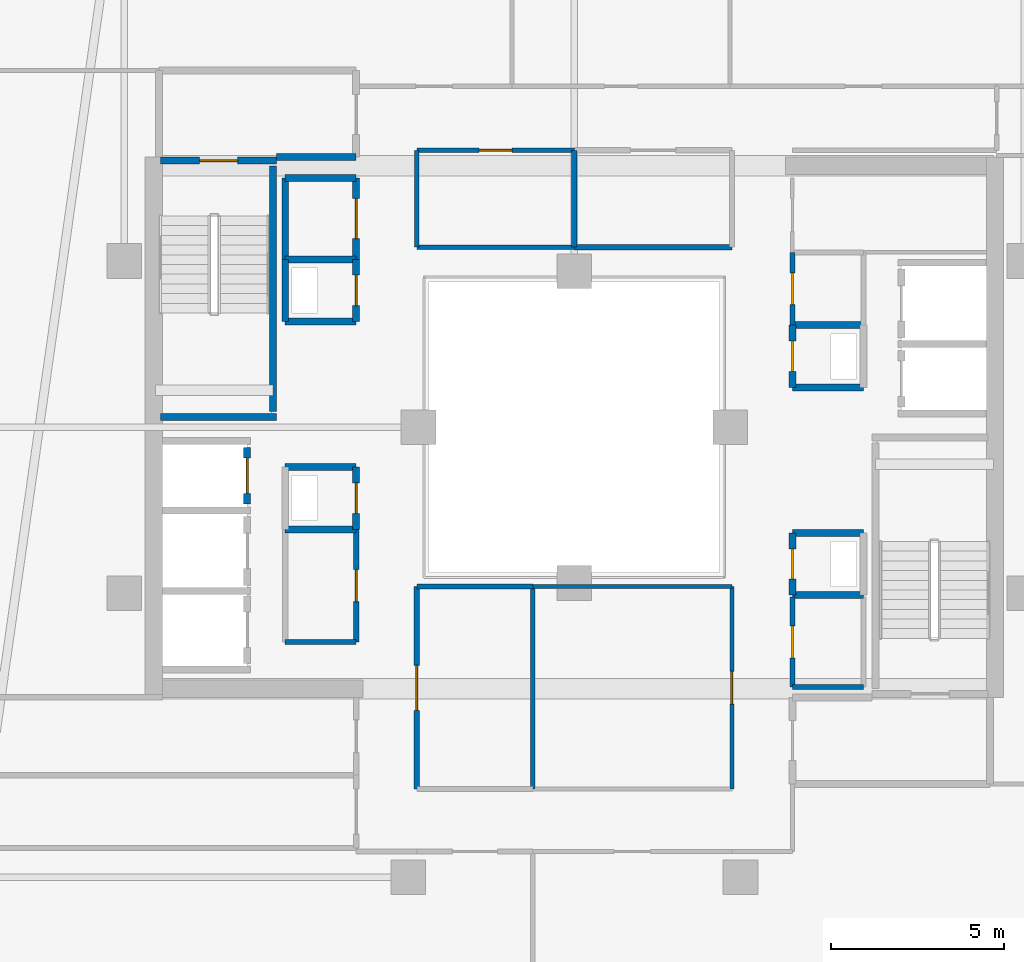
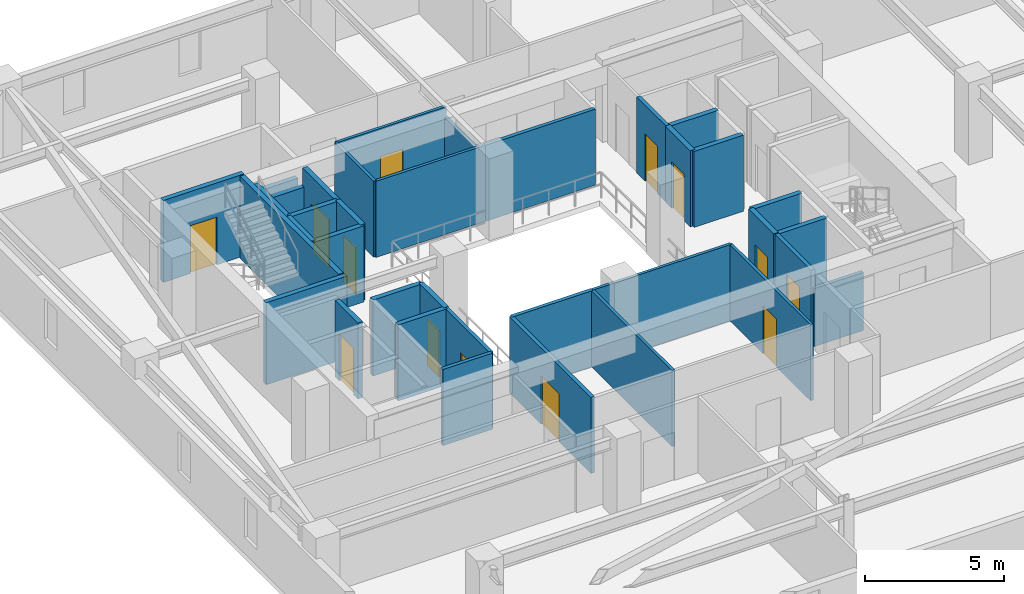
# One storey, part 23 of 32: 36 walls, 13 doors, 13 openings.
"""IFC4 building model written with IfcOpenShell, lengths in metres."""

import ifcopenshell
import ifcopenshell.guid

model = None  # the IFC model being written
_history = None  # IfcOwnerHistory: only IFC2X3 demands one
_inside = {}  # id of a spatial element -> (the spatial element, [elements in it])
_under = {}  # id of a project, library or spatial element -> (it, [spatial elements below it])
_declared = {}  # id of a project -> (the project, [libraries it declares])
_typed = {}  # id of a type object -> (the type object, [elements of that type])
_made_of = {}  # id of a material, layer set ... -> (it, [elements and type objects made of it])


def new_model(schema):
    """Start an empty IFC model of exactly this schema.

    Asked for "IFC4X3", IfcOpenShell would pick the latest addendum, in which some entities
    have other attributes; the version numbers below select the first issue.
    IFC2X3 requires an IfcOwnerHistory on every rooted entity: one is made here for all.
    """
    global model, _history
    if schema == "IFC4X3":
        model = ifcopenshell.file(schema_version=(4, 3, 0, 0))
    else:
        model = ifcopenshell.file(schema=schema)
    _inside.clear()
    _under.clear()
    _declared.clear()
    _typed.clear()
    _made_of.clear()
    _history = None
    if model.schema == "IFC2X3":
        org = make("IfcOrganization", Name="unknown")
        user = make(
            "IfcPersonAndOrganization",
            ThePerson=make("IfcPerson", FamilyName="unknown"),
            TheOrganization=org,
        )
        app = make(
            "IfcApplication",
            ApplicationDeveloper=org,
            Version="unknown",
            ApplicationFullName="unknown",
            ApplicationIdentifier="unknown",
        )
        _history = make(
            "IfcOwnerHistory",
            OwningUser=user,
            OwningApplication=app,
            ChangeAction="ADDED",
            CreationDate=0,
        )
    return model


def make(cls, **values):
    """One entity of the class cls with the attributes given. An attribute that is None is left unset."""
    return model.create_entity(
        cls, **{name: value for name, value in values.items() if value is not None}
    )


def rooted(cls, **values):
    """An entity with a GlobalId (a new one), such as an element, a storey or a relation."""
    return make(cls, GlobalId=ifcopenshell.guid.new(), OwnerHistory=_history, **values)


def si_unit(unit_type, name, prefix=None):
    """IfcSIUnit, for example si_unit("LENGTHUNIT", "METRE", prefix="MILLI")."""
    return make("IfcSIUnit", UnitType=unit_type, Prefix=prefix, Name=name)


def assignment(units):
    """IfcUnitAssignment: the units of a project."""
    return None if units is None else make("IfcUnitAssignment", Units=units)


def point(xyz):
    """IfcCartesianPoint."""
    return None if xyz is None else make("IfcCartesianPoint", Coordinates=xyz)


def direction(xyz):
    """IfcDirection."""
    return None if xyz is None else make("IfcDirection", DirectionRatios=xyz)


def frame(location, z_axis=None, x_axis=None):
    """IfcAxis2Placement3D, a coordinate frame: its origin and axes. An axis left out is left unset."""
    return make(
        "IfcAxis2Placement3D",
        Location=point(location),
        Axis=direction(z_axis),
        RefDirection=direction(x_axis),
    )


def frame_2d(location, x_axis=None):
    """IfcAxis2Placement2D, a coordinate frame in the plane: its origin and x axis."""
    return make(
        "IfcAxis2Placement2D", Location=point(location), RefDirection=direction(x_axis)
    )


def origin():
    """The frame at (0, 0, 0) with its axes left unset."""
    return frame((0.0, 0.0, 0.0))


def place(relative_to, where):
    """IfcLocalPlacement: puts the frame where relative to a parent placement (None: the world)."""
    return make(
        "IfcLocalPlacement", PlacementRelTo=relative_to, RelativePlacement=where
    )


def context(
    kind, dimensions, precision=None, world=None, true_north=None, identifier=None
):
    """IfcGeometricRepresentationContext, for example the 3D "Model" context."""
    return make(
        "IfcGeometricRepresentationContext",
        ContextIdentifier=identifier,
        ContextType=kind,
        CoordinateSpaceDimension=dimensions,
        Precision=precision,
        WorldCoordinateSystem=world,
        TrueNorth=true_north,
    )


def subcontext(parent, identifier, kind, view, scale=None):
    """IfcGeometricRepresentationSubContext, for example "Body" below "Model"."""
    return make(
        "IfcGeometricRepresentationSubContext",
        ContextIdentifier=identifier,
        ContextType=kind,
        ParentContext=parent,
        TargetScale=scale,
        TargetView=view,
    )


def project(units=None, contexts=None):
    """IfcProject with its units and contexts."""
    return rooted(
        "IfcProject",
        Name="project",
        RepresentationContexts=contexts,
        UnitsInContext=assignment(units),
    )


def spatial(cls, under=None, at=None, **own):
    """A site, building, storey or space (cls), placed at a placement, below another one or the project."""
    s = rooted(cls, ObjectPlacement=at, **own)
    if under is not None:
        _under.setdefault(under.id(), (under, []))[1].append(s)
    return s


def profile(cls, at=None, kind="AREA", **sizes):
    """A parametric profile (cls). Its sizes go by their IFC names, for example OverallWidth=200.0."""
    return make(cls, ProfileType=kind, Position=at, **sizes)


def rectangle(**sizes):
    """IfcRectangleProfileDef."""
    return profile("IfcRectangleProfileDef", **sizes)


def extrude(swept, where, along, depth):
    """IfcExtrudedAreaSolid: the profile swept, set in the frame where, extruded along a direction by depth."""
    return make(
        "IfcExtrudedAreaSolid",
        SweptArea=swept,
        Position=where,
        ExtrudedDirection=direction(along),
        Depth=depth,
    )


def shape(context_of_items, identifier, shape_type, items):
    """IfcShapeRepresentation: the items that make up one representation, for example the "Body"."""
    return make(
        "IfcShapeRepresentation",
        ContextOfItems=context_of_items,
        RepresentationIdentifier=identifier,
        RepresentationType=shape_type,
        Items=items,
    )


def material(Name=None, Category=None):
    """IfcMaterial."""
    return make("IfcMaterial", Name=Name, Category=Category)


def layer(
    of_material, thickness, ventilated=None, Name=None, Category=None, Priority=None
):
    """IfcMaterialLayer: one layer of a wall or slab, of a material (None: an air gap)."""
    return make(
        "IfcMaterialLayer",
        Material=of_material,
        LayerThickness=thickness,
        IsVentilated=ventilated,
        Name=Name,
        Category=Category,
        Priority=Priority,
    )


def layer_set(layers, Name=None):
    """IfcMaterialLayerSet."""
    return make("IfcMaterialLayerSet", MaterialLayers=layers, LayerSetName=Name)


def made_of(thing, what):
    """Note that an element or type object is made of a material, layer set ...; save() writes the relation."""
    if what is not None:
        _made_of.setdefault(what.id(), (what, []))[1].append(thing)
    return thing


def type_object(cls, material=None, **own):
    """A type object (cls), such as IfcWallType, which elements share."""
    return made_of(rooted(cls, **own), material)


def element(
    cls,
    number,
    at=None,
    inside=None,
    cuts=None,
    type_object=None,
    material=None,
    context=None,
    identifier="Body",
    shape_type=None,
    held_by="IfcProductDefinitionShape",
    body=None,
    shapes=None,
    **own,
):
    """One element of the class cls, such as IfcWall. Its Tag is "e" and its number.

    at: its placement. inside: the storey or other place that contains it. cuts: it is an
    opening in that element (IfcRelVoidsElement). A single representation is given by context,
    identifier, shape_type and body (its items); several are given by shapes. held_by: the class
    of the entity that holds the representations. save() writes the other relations.
    """
    e = rooted(cls, Tag="e%d" % number, ObjectPlacement=at, **own)
    if body is not None:
        shapes = [shape(context, identifier, shape_type, body)]
    if shapes is not None:
        e.Representation = make(held_by, Representations=shapes)
    if inside is not None:
        _inside.setdefault(inside.id(), (inside, []))[1].append(e)
    if cuts is not None:
        rooted(
            "IfcRelVoidsElement", RelatingBuildingElement=cuts, RelatedOpeningElement=e
        )
    if type_object is not None:
        _typed.setdefault(type_object.id(), (type_object, []))[1].append(e)
    return made_of(e, material)


def fill(opening, filler):
    """IfcRelFillsElement: the door or window that sits in an opening."""
    return rooted(
        "IfcRelFillsElement",
        RelatingOpeningElement=opening,
        RelatedBuildingElement=filler,
    )


def aggregate(whole, parts):
    """IfcRelAggregates: a whole, such as a stair, and the parts it consists of."""
    return rooted("IfcRelAggregates", RelatingObject=whole, RelatedObjects=parts)


def save(model, path):
    """Write the relations noted so far, then the file.

    IfcRelAggregates (storeys below a building ...), IfcRelContainedInSpatialStructure (elements
    in a storey), IfcRelDefinesByType, IfcRelAssociatesMaterial and IfcRelDeclares: one each for
    every whole, place, type object, material and project.
    """
    for whole, parts in _under.values():
        aggregate(whole, parts)
    for where, things in _inside.values():
        rooted(
            "IfcRelContainedInSpatialStructure",
            RelatedElements=things,
            RelatingStructure=where,
        )
    for kind, things in _typed.values():
        rooted("IfcRelDefinesByType", RelatedObjects=things, RelatingType=kind)
    for what, things in _made_of.values():
        rooted("IfcRelAssociatesMaterial", RelatedObjects=things, RelatingMaterial=what)
    for by, libraries in _declared.values():
        rooted("IfcRelDeclares", RelatingContext=by, RelatedDefinitions=libraries)
    model.write(path)


model = new_model("IFC4")

# Units and contexts
model_context = context("Model", 3, precision=1e-05, world=origin(), true_north=direction((0.0, 1.0)))
body_context = subcontext(model_context, "Body", "Model", "MODEL_VIEW")
ifc_project = project(units=[si_unit("LENGTHUNIT", "METRE"), si_unit("AREAUNIT", "SQUARE_METRE"), si_unit("VOLUMEUNIT", "CUBIC_METRE"), si_unit("PLANEANGLEUNIT", "RADIAN"), si_unit("MASSUNIT", "GRAM", prefix="KILO")], contexts=[model_context])

# Site, building, storey
site_placement = place(None, origin())
site = spatial("IfcSite", under=ifc_project, at=site_placement, CompositionType="ELEMENT")
building_placement = place(site_placement, origin())
building = spatial("IfcBuilding", under=site, at=building_placement, Name="Thornwick Lancets Civic Towers", CompositionType="ELEMENT")
storey_placement = place(building_placement, frame((0.0, 0.0, 240.300048828125)))
storey = spatial("IfcBuildingStorey", under=building, at=storey_placement, Name="L64", CompositionType="ELEMENT", Elevation=240.300048828125)

# Wall, opening, door
ifc_material_1 = material(Name="Concrete blockwork C40/50", Category="masonry")
ifc_layer_1 = layer(ifc_material_1, 0.199951171875, Name="Concrete blockwork C40/50")
ifc_layer_set_1 = layer_set([ifc_layer_1], Name="Concrete blockwork C40/50")
wall_type_1 = type_object("IfcWallType", Name="WALL_COMP_200", PredefinedType="STANDARD", material=ifc_layer_set_1)
wall_1_placement = place(storey_placement, frame((79.050048828125, 24.780029296875, 0.0), z_axis=(0.0, 0.0, 1.0), x_axis=(0.0, 1.0, 0.0)))
wall_1 = element("IfcWall", 1, at=wall_1_placement, inside=storey, type_object=wall_type_1, Name="L64 Hoistway Front Wall FL-B2", PredefinedType="STANDARD", context=body_context, shape_type="SweptSolid", body=[
    extrude(rectangle(XDim=1.639892578125, YDim=0.199951171875, at=frame_2d((0.81982421875, 0.0))), origin(), (0.0, 0.0, 1.0), 3.33984375),
])
opening_1_placement = place(wall_1_placement, frame((0.31005859375, 0.0, 0.0)))
opening_1 = element("IfcOpeningElement", 2, at=opening_1_placement, cuts=wall_1, Name="Opening LD-FL-B2", PredefinedType="OPENING", context=body_context, shape_type="SweptSolid", body=[
    extrude(rectangle(XDim=1.02001953125, YDim=2.06005859375, at=frame_2d((0.510009765625, 1.030029296875))), frame((0.0, 0.10986328125, 0.0), z_axis=(0.0, -1.0, 0.0), x_axis=(1.0, 0.0, 0.0)), (0.0, 0.0, 1.0), 0.219970703125),
])
ifc_material_2 = material(Name="Brushed bronze stainless steel", Category="steel")
door_type_1 = type_object("IfcDoorType", Name="DOOR_LIFT_SLIDE", OperationType="SLIDING_TO_LEFT", PredefinedType="DOOR", material=ifc_material_2)
door_1_placement = place(opening_1_placement, origin())
door_1 = element("IfcDoor", 3, at=door_1_placement, inside=storey, type_object=door_type_1, Name="L64 Sliding Lift Landing Door LD-FL-B2", OperationType="SLIDING_TO_LEFT", OverallHeight=2.06005859375, OverallWidth=1.02001953125, PredefinedType="DOOR", context=body_context, shape_type="SweptSolid", body=[
    extrude(rectangle(XDim=1.02001953125, YDim=2.06005859375, at=frame_2d((0.510009765625, 1.030029296875))), frame((0.0, 0.02490234375, 0.0), z_axis=(0.0, -1.0, 0.0), x_axis=(1.0, 0.0, 0.0)), (0.0, 0.0, 1.0), 0.050048828125),
])
fill(opening_1, door_1)

# Walls
wall_2_placement = place(storey_placement, frame((79.89990234375, 34.800048828125, 0.0), z_axis=(0.0, 0.0, 1.0), x_axis=(1.0, 0.0, 0.0)))
element("IfcWall", 4, at=wall_2_placement, inside=storey, type_object=wall_type_1, Name="L64 Partition L64-B-FFLOB2 E1", PredefinedType="STANDARD", context=body_context, shape_type="SweptSolid", body=[
    extrude(rectangle(XDim=2.300048828125, YDim=0.199951171875, at=frame_2d((1.14990234375, 0.0))), origin(), (0.0, 0.0, 1.0), 2.544921875),
])
for number, where, z_axis, x_axis, name in (
    (5, (94.800048828125, 28.14990234375, 0.0), (0.0, 0.0, 1.0), (1.0, 0.0, 0.0), "L64 Partition L64-B-DUCT1 E1"),
    (6, (96.85009765625, 29.949951171875, 0.0), (0.0, 0.0, 1.0), (-1.0, 0.0, 0.0), "L64 Partition L64-B-DUCT1 E3"),
):
    element("IfcWall", number, at=place(storey_placement, frame(where, z_axis=z_axis, x_axis=x_axis)), inside=storey, type_object=wall_type_1, Name=name, PredefinedType="STANDARD", context=body_context, shape_type="SweptSolid", body=[
        extrude(rectangle(XDim=2.050048828125, YDim=0.199951171875, at=frame_2d((1.02490234375, 0.0))), origin(), (0.0, 0.0, 1.0), 3.33984375),
    ])

# Wall, opening, door
wall_3_placement = place(storey_placement, frame((94.800048828125, 29.949951171875, 0.0), z_axis=(0.0, 0.0, 1.0), x_axis=(0.0, -1.0, 0.0)))
wall_3 = element("IfcWall", 7, at=wall_3_placement, inside=storey, type_object=wall_type_1, Name="L64 Partition L64-B-DUCT1 E4", PredefinedType="STANDARD", context=body_context, shape_type="SweptSolid", body=[
    extrude(rectangle(XDim=1.800048828125, YDim=0.199951171875, at=frame_2d((0.89990234375, 0.0))), origin(), (0.0, 0.0, 1.0), 3.33984375),
])
opening_2_placement = place(wall_3_placement, frame((0.4599609375, 0.0, 0.0)))
opening_2 = element("IfcOpeningElement", 8, at=opening_2_placement, cuts=wall_3, Name="Opening D-L64-2886", PredefinedType="OPENING", context=body_context, shape_type="SweptSolid", body=[
    extrude(rectangle(XDim=0.8798828125, YDim=2.0400390625, at=frame_2d((0.43994140625, 1.02001953125))), frame((0.0, 0.10986328125, 0.0), z_axis=(0.0, -1.0, 0.0), x_axis=(1.0, 0.0, 0.0)), (0.0, 0.0, 1.0), 0.219970703125),
])
ifc_material_3 = material(Name="Steel riser access doorset", Category="steel")
door_type_2 = type_object("IfcDoorType", Name="DOOR_RISER_850", OperationType="NOTDEFINED", PredefinedType="DOOR", material=ifc_material_3)
door_2_placement = place(opening_2_placement, origin())
door_2 = element("IfcDoor", 9, at=door_2_placement, inside=storey, type_object=door_type_2, Name="L64 East Service Duct 1 Door", OperationType="SINGLE_SWING_LEFT", OverallHeight=2.0400390625, OverallWidth=0.8798828125, PredefinedType="DOOR", context=body_context, shape_type="SweptSolid", body=[
    extrude(rectangle(XDim=0.8798828125, YDim=2.0400390625, at=frame_2d((0.43994140625, 1.02001953125))), frame((0.0, 0.02490234375, 0.0), z_axis=(0.0, -1.0, 0.0), x_axis=(1.0, 0.0, 0.0)), (0.0, 0.0, 1.0), 0.050048828125),
])
fill(opening_2, door_2)

# Walls
for number, where, z_axis, x_axis, name in (
    (10, (94.800048828125, 22.14990234375, 0.0), (0.0, 0.0, 1.0), (1.0, 0.0, 0.0), "L64 Partition L64-B-RISER1 E1"),
    (11, (96.85009765625, 23.949951171875, 0.0), (0.0, 0.0, 1.0), (-1.0, 0.0, 0.0), "L64 Partition L64-B-RISER1 E3"),
):
    element("IfcWall", number, at=place(storey_placement, frame(where, z_axis=z_axis, x_axis=x_axis)), inside=storey, type_object=wall_type_1, Name=name, PredefinedType="STANDARD", context=body_context, shape_type="SweptSolid", body=[
        extrude(rectangle(XDim=2.050048828125, YDim=0.199951171875, at=frame_2d((1.02490234375, 0.0))), origin(), (0.0, 0.0, 1.0), 3.33984375),
    ])

# Wall, opening, door
wall_4_placement = place(storey_placement, frame((94.800048828125, 23.949951171875, 0.0), z_axis=(0.0, 0.0, 1.0), x_axis=(0.0, -1.0, 0.0)))
wall_4 = element("IfcWall", 12, at=wall_4_placement, inside=storey, type_object=wall_type_1, Name="L64 Partition L64-B-RISER1 E4", PredefinedType="STANDARD", context=body_context, shape_type="SweptSolid", body=[
    extrude(rectangle(XDim=1.800048828125, YDim=0.199951171875, at=frame_2d((0.89990234375, 0.0))), origin(), (0.0, 0.0, 1.0), 3.33984375),
])
opening_3_placement = place(wall_4_placement, frame((0.4599609375, 0.0, 0.0)))
opening_3 = element("IfcOpeningElement", 13, at=opening_3_placement, cuts=wall_4, Name="Opening D-L64-2887", PredefinedType="OPENING", context=body_context, shape_type="SweptSolid", body=[
    extrude(rectangle(XDim=0.8798828125, YDim=2.0400390625, at=frame_2d((0.43994140625, 1.02001953125))), frame((0.0, 0.10986328125, 0.0), z_axis=(0.0, -1.0, 0.0), x_axis=(1.0, 0.0, 0.0)), (0.0, 0.0, 1.0), 0.219970703125),
])
door_3_placement = place(opening_3_placement, origin())
door_3 = element("IfcDoor", 14, at=door_3_placement, inside=storey, type_object=door_type_2, Name="L64 East Electrical Riser 1 Door", OperationType="SINGLE_SWING_RIGHT", OverallHeight=2.0400390625, OverallWidth=0.8798828125, PredefinedType="DOOR", context=body_context, shape_type="SweptSolid", body=[
    extrude(rectangle(XDim=0.8798828125, YDim=2.0400390625, at=frame_2d((0.43994140625, 1.02001953125))), frame((0.0, 0.02490234375, 0.0), z_axis=(0.0, -1.0, 0.0), x_axis=(1.0, 0.0, 0.0)), (0.0, 0.0, 1.0), 0.050048828125),
])
fill(opening_3, door_3)

# Wall
wall_5_placement = place(storey_placement, frame((80.14990234375, 24.050048828125, 0.0), z_axis=(0.0, 0.0, 1.0), x_axis=(1.0, 0.0, 0.0)))
element("IfcWall", 15, at=wall_5_placement, inside=storey, type_object=wall_type_1, Name="L64 Partition L64-B-DUCT2 E1", PredefinedType="STANDARD", context=body_context, shape_type="SweptSolid", body=[
    extrude(rectangle(XDim=2.050048828125, YDim=0.199951171875, at=frame_2d((1.02490234375, 0.0))), origin(), (0.0, 0.0, 1.0), 3.33984375),
])

# Wall, opening, door
wall_6_placement = place(storey_placement, frame((82.199951171875, 24.050048828125, 0.0), z_axis=(0.0, 0.0, 1.0), x_axis=(0.0, 1.0, 0.0)))
wall_6 = element("IfcWall", 16, at=wall_6_placement, inside=storey, type_object=wall_type_1, Name="L64 Partition L64-B-DUCT2 E2", PredefinedType="STANDARD", context=body_context, shape_type="SweptSolid", body=[
    extrude(rectangle(XDim=1.800048828125, YDim=0.199951171875, at=frame_2d((0.89990234375, 0.0))), origin(), (0.0, 0.0, 1.0), 3.33984375),
])
opening_4_placement = place(wall_6_placement, frame((0.4599609375, 0.0, 0.0)))
opening_4 = element("IfcOpeningElement", 17, at=opening_4_placement, cuts=wall_6, Name="Opening D-L64-2888", PredefinedType="OPENING", context=body_context, shape_type="SweptSolid", body=[
    extrude(rectangle(XDim=0.8798828125, YDim=2.0400390625, at=frame_2d((0.43994140625, 1.02001953125))), frame((0.0, 0.10986328125, 0.0), z_axis=(0.0, -1.0, 0.0), x_axis=(1.0, 0.0, 0.0)), (0.0, 0.0, 1.0), 0.219970703125),
])
door_4_placement = place(opening_4_placement, origin())
door_4 = element("IfcDoor", 18, at=door_4_placement, inside=storey, type_object=door_type_2, Name="L64 West Service Duct 2 Door", OperationType="SINGLE_SWING_LEFT", OverallHeight=2.0400390625, OverallWidth=0.8798828125, PredefinedType="DOOR", context=body_context, shape_type="SweptSolid", body=[
    extrude(rectangle(XDim=0.8798828125, YDim=2.0400390625, at=frame_2d((0.43994140625, 1.02001953125))), frame((0.0, 0.02490234375, 0.0), z_axis=(0.0, -1.0, 0.0), x_axis=(1.0, 0.0, 0.0)), (0.0, 0.0, 1.0), 0.050048828125),
])
fill(opening_4, door_4)

# Walls
for number, where, z_axis, x_axis, name in (
    (19, (82.199951171875, 25.85009765625, 0.0), (0.0, 0.0, 1.0), (-1.0, 0.0, 0.0), "L64 Partition L64-B-DUCT2 E3"),
    (20, (80.14990234375, 30.050048828125, 0.0), (0.0, 0.0, 1.0), (1.0, 0.0, 0.0), "L64 Partition L64-B-RISER2 E1"),
):
    element("IfcWall", number, at=place(storey_placement, frame(where, z_axis=z_axis, x_axis=x_axis)), inside=storey, type_object=wall_type_1, Name=name, PredefinedType="STANDARD", context=body_context, shape_type="SweptSolid", body=[
        extrude(rectangle(XDim=2.050048828125, YDim=0.199951171875, at=frame_2d((1.02490234375, 0.0))), origin(), (0.0, 0.0, 1.0), 3.33984375),
    ])

# Wall, opening, door
wall_7_placement = place(storey_placement, frame((82.199951171875, 30.050048828125, 0.0), z_axis=(0.0, 0.0, 1.0), x_axis=(0.0, 1.0, 0.0)))
wall_7 = element("IfcWall", 21, at=wall_7_placement, inside=storey, type_object=wall_type_1, Name="L64 Partition L64-B-RISER2 E2", PredefinedType="STANDARD", context=body_context, shape_type="SweptSolid", body=[
    extrude(rectangle(XDim=1.800048828125, YDim=0.199951171875, at=frame_2d((0.89990234375, 0.0))), origin(), (0.0, 0.0, 1.0), 3.33984375),
])
opening_5_placement = place(wall_7_placement, frame((0.4599609375, 0.0, 0.0)))
opening_5 = element("IfcOpeningElement", 22, at=opening_5_placement, cuts=wall_7, Name="Opening D-L64-2889", PredefinedType="OPENING", context=body_context, shape_type="SweptSolid", body=[
    extrude(rectangle(XDim=0.8798828125, YDim=2.0400390625, at=frame_2d((0.43994140625, 1.02001953125))), frame((0.0, 0.10986328125, 0.0), z_axis=(0.0, -1.0, 0.0), x_axis=(1.0, 0.0, 0.0)), (0.0, 0.0, 1.0), 0.219970703125),
])
door_5_placement = place(opening_5_placement, origin())
door_5 = element("IfcDoor", 23, at=door_5_placement, inside=storey, type_object=door_type_2, Name="L64 West Service Riser 2 Door", OperationType="SINGLE_SWING_RIGHT", OverallHeight=2.0400390625, OverallWidth=0.8798828125, PredefinedType="DOOR", context=body_context, shape_type="SweptSolid", body=[
    extrude(rectangle(XDim=0.8798828125, YDim=2.0400390625, at=frame_2d((0.43994140625, 1.02001953125))), frame((0.0, 0.02490234375, 0.0), z_axis=(0.0, -1.0, 0.0), x_axis=(1.0, 0.0, 0.0)), (0.0, 0.0, 1.0), 0.050048828125),
])
fill(opening_5, door_5)

# Walls
wall_8_placement = place(storey_placement, frame((82.199951171875, 31.85009765625, 0.0), z_axis=(0.0, 0.0, 1.0), x_axis=(-1.0, 0.0, 0.0)))
element("IfcWall", 24, at=wall_8_placement, inside=storey, type_object=wall_type_1, Name="L64 Partition L64-B-RISER2 E3", PredefinedType="STANDARD", context=body_context, shape_type="SweptSolid", body=[
    extrude(rectangle(XDim=2.050048828125, YDim=0.199951171875, at=frame_2d((1.02490234375, 0.0))), origin(), (0.0, 0.0, 1.0), 3.33984375),
])
wall_9_placement = place(storey_placement, frame((80.14990234375, 31.85009765625, 0.0), z_axis=(0.0, 0.0, 1.0), x_axis=(0.0, -1.0, 0.0)))
element("IfcWall", 25, at=wall_9_placement, inside=storey, type_object=wall_type_1, Name="L64 Partition L64-B-RISER2 E4", PredefinedType="STANDARD", context=body_context, shape_type="SweptSolid", body=[
    extrude(rectangle(XDim=1.800048828125, YDim=0.199951171875, at=frame_2d((0.89990234375, 0.0))), origin(), (0.0, 0.0, 1.0), 3.33984375),
])
wall_10_placement = place(storey_placement, frame((80.14990234375, 31.85009765625, 0.0), z_axis=(0.0, 0.0, 1.0), x_axis=(0.0, 1.0, 0.0)))
element("IfcWall", 26, at=wall_10_placement, inside=storey, type_object=wall_type_1, Name="L64 Partition L64-B-STR E1", PredefinedType="STANDARD", context=body_context, shape_type="SweptSolid", body=[
    extrude(rectangle(XDim=2.349853515625, YDim=0.199951171875, at=frame_2d((1.1748046875, 0.0))), origin(), (0.0, 0.0, 1.0), 3.33984375),
])
wall_11_placement = place(storey_placement, frame((80.14990234375, 34.199951171875, 0.0), z_axis=(0.0, 0.0, 1.0), x_axis=(1.0, 0.0, 0.0)))
element("IfcWall", 27, at=wall_11_placement, inside=storey, type_object=wall_type_1, Name="L64 Partition L64-B-STR E2", PredefinedType="STANDARD", context=body_context, shape_type="SweptSolid", body=[
    extrude(rectangle(XDim=2.050048828125, YDim=0.199951171875, at=frame_2d((1.02490234375, 0.0))), origin(), (0.0, 0.0, 1.0), 2.544921875),
])

# Wall, opening, door
wall_12_placement = place(storey_placement, frame((82.199951171875, 34.199951171875, 0.0), z_axis=(0.0, 0.0, 1.0), x_axis=(0.0, -1.0, 0.0)))
wall_12 = element("IfcWall", 28, at=wall_12_placement, inside=storey, type_object=wall_type_1, Name="L64 Partition L64-B-STR E3", PredefinedType="STANDARD", context=body_context, shape_type="SweptSolid", body=[
    extrude(rectangle(XDim=2.349853515625, YDim=0.199951171875, at=frame_2d((1.1748046875, 0.0))), origin(), (0.0, 0.0, 1.0), 3.33984375),
])
opening_6_placement = place(wall_12_placement, frame((0.60009765625, 0.0, 0.0)))
opening_6 = element("IfcOpeningElement", 29, at=opening_6_placement, cuts=wall_12, Name="Opening D-L64-2894", PredefinedType="OPENING", context=body_context, shape_type="SweptSolid", body=[
    extrude(rectangle(XDim=1.14990234375, YDim=2.10009765625, at=frame_2d((0.574951171875, 1.050048828125))), frame((0.0, 0.10986328125, 0.0), z_axis=(0.0, -1.0, 0.0), x_axis=(1.0, 0.0, 0.0)), (0.0, 0.0, 1.0), 0.219970703125),
])
ifc_material_4 = material(Name="Glazed fire-resisting steel", Category="steel")
door_type_3 = type_object("IfcDoorType", Name="DOOR_LOBBY_FD60", OperationType="NOTDEFINED", PredefinedType="DOOR", material=ifc_material_4)
door_6_placement = place(opening_6_placement, origin())
door_6 = element("IfcDoor", 30, at=door_6_placement, inside=storey, type_object=door_type_3, Name="L64 Tower B Core Equipment Store Door", OperationType="SINGLE_SWING_LEFT", OverallHeight=2.10009765625, OverallWidth=1.14990234375, PredefinedType="DOOR", context=body_context, shape_type="SweptSolid", body=[
    extrude(rectangle(XDim=1.14990234375, YDim=2.10009765625, at=frame_2d((0.574951171875, 1.050048828125))), frame((0.0, 0.02490234375, 0.0), z_axis=(0.0, -1.0, 0.0), x_axis=(1.0, 0.0, 0.0)), (0.0, 0.0, 1.0), 0.050048828125),
])
fill(opening_6, door_6)

# Walls
ifc_material_5 = material(Name="Acoustic gypsum board partition")
ifc_layer_2 = layer(ifc_material_5, 0.1201171875, Name="Acoustic gypsum board partition")
ifc_layer_set_2 = layer_set([ifc_layer_2], Name="Acoustic gypsum board partition")
wall_type_2 = type_object("IfcWallType", Name="WALL_PART_120", PredefinedType="PARTITIONING", material=ifc_layer_set_2)
wall_13_placement = place(storey_placement, frame((87.300048828125, 16.550048828125, 0.0), z_axis=(0.0, 0.0, 1.0), x_axis=(0.0, 1.0, 0.0)))
element("IfcWall", 31, at=wall_13_placement, inside=storey, type_object=wall_type_2, Name="L64 Partition L64-B-W3 E1", PredefinedType="PARTITIONING", context=body_context, shape_type="SweptSolid", body=[
    extrude(rectangle(XDim=5.849853515625, YDim=0.1201171875, at=frame_2d((2.9248046875, 0.0))), origin(), (0.0, 0.0, 1.0), 3.33984375),
])
wall_14_placement = place(storey_placement, frame((87.300048828125, 22.39990234375, 0.0), z_axis=(0.0, 0.0, 1.0), x_axis=(1.0, 0.0, 0.0)))
element("IfcWall", 32, at=wall_14_placement, inside=storey, type_object=wall_type_2, Name="L64 Partition L64-B-W3 E2", PredefinedType="PARTITIONING", context=body_context, shape_type="SweptSolid", body=[
    extrude(rectangle(XDim=5.75, YDim=0.1201171875, at=frame_2d((2.875, 0.0))), origin(), (0.0, 0.0, 1.0), 3.33984375),
])

# Wall, opening, door
wall_15_placement = place(storey_placement, frame((93.050048828125, 22.39990234375, 0.0), z_axis=(0.0, 0.0, 1.0), x_axis=(0.0, -1.0, 0.0)))
wall_15 = element("IfcWall", 33, at=wall_15_placement, inside=storey, type_object=wall_type_2, Name="L64 Partition L64-B-W3 E3", PredefinedType="PARTITIONING", context=body_context, shape_type="SweptSolid", body=[
    extrude(rectangle(XDim=5.849853515625, YDim=0.1201171875, at=frame_2d((2.9248046875, 0.0))), origin(), (0.0, 0.0, 1.0), 3.33984375),
])
opening_7_placement = place(wall_15_placement, frame((2.449951171875, 0.0, 0.0)))
opening_7 = element("IfcOpeningElement", 34, at=opening_7_placement, cuts=wall_15, Name="Opening D-L64-2912", PredefinedType="OPENING", context=body_context, shape_type="SweptSolid", body=[
    extrude(rectangle(XDim=0.949951171875, YDim=2.10009765625, at=frame_2d((0.47509765625, 1.050048828125))), frame((0.0, 0.070068359375, 0.0), z_axis=(0.0, -1.0, 0.0), x_axis=(1.0, 0.0, 0.0)), (0.0, 0.0, 1.0), 0.14013671875),
])
ifc_material_6 = material(Name="European oak acoustic doorset")
door_type_4 = type_object("IfcDoorType", Name="DOOR_OFFICE_950", OperationType="NOTDEFINED", PredefinedType="DOOR", material=ifc_material_6)
door_7_placement = place(opening_7_placement, origin())
door_7 = element("IfcDoor", 35, at=door_7_placement, inside=storey, type_object=door_type_4, Name="L64 Tower B Staff Tea Pantry and Lounge Door", OperationType="SINGLE_SWING_LEFT", OverallHeight=2.10009765625, OverallWidth=0.949951171875, PredefinedType="DOOR", context=body_context, shape_type="SweptSolid", body=[
    extrude(rectangle(XDim=0.949951171875, YDim=2.10009765625, at=frame_2d((0.47509765625, 1.050048828125))), frame((0.0, 0.02490234375, 0.0), z_axis=(0.0, -1.0, 0.0), x_axis=(1.0, 0.0, 0.0)), (0.0, 0.0, 1.0), 0.050048828125),
])
fill(opening_7, door_7)

# Wall
wall_16_placement = place(storey_placement, frame((83.949951171875, 32.199951171875, 0.0), z_axis=(0.0, 0.0, 1.0), x_axis=(0.0, 1.0, 0.0)))
element("IfcWall", 36, at=wall_16_placement, inside=storey, type_object=wall_type_2, Name="L64 Partition L64-B-E-ATR-2 E1", PredefinedType="PARTITIONING", context=body_context, shape_type="SweptSolid", body=[
    extrude(rectangle(XDim=2.800048828125, YDim=0.1201171875, at=frame_2d((1.39990234375, 0.0))), origin(), (0.0, 0.0, 1.0), 3.33984375),
])

# Wall, opening, door
wall_17_placement = place(storey_placement, frame((83.949951171875, 35.0, 0.0), z_axis=(0.0, 0.0, 1.0), x_axis=(1.0, 0.0, 0.0)))
wall_17 = element("IfcWall", 37, at=wall_17_placement, inside=storey, type_object=wall_type_2, Name="L64 Partition L64-B-E-ATR-2 E2", PredefinedType="PARTITIONING", context=body_context, shape_type="SweptSolid", body=[
    extrude(rectangle(XDim=4.550048828125, YDim=0.1201171875, at=frame_2d((2.27490234375, 0.0))), origin(), (0.0, 0.0, 1.0), 3.33984375),
])
opening_8_placement = place(wall_17_placement, frame((1.800048828125, 0.0, 0.0)))
opening_8 = element("IfcOpeningElement", 38, at=opening_8_placement, cuts=wall_17, Name="Opening D-L64-2918", PredefinedType="OPENING", context=body_context, shape_type="SweptSolid", body=[
    extrude(rectangle(XDim=0.949951171875, YDim=2.10009765625, at=frame_2d((0.47509765625, 1.050048828125))), frame((0.0, 0.070068359375, 0.0), z_axis=(0.0, -1.0, 0.0), x_axis=(1.0, 0.0, 0.0)), (0.0, 0.0, 1.0), 0.14013671875),
])
door_8_placement = place(opening_8_placement, origin())
door_8 = element("IfcDoor", 39, at=door_8_placement, inside=storey, type_object=door_type_4, Name="L64 Tower B Atrium Research Suite Door", OperationType="SINGLE_SWING_LEFT", OverallHeight=2.10009765625, OverallWidth=0.949951171875, PredefinedType="DOOR", context=body_context, shape_type="SweptSolid", body=[
    extrude(rectangle(XDim=0.949951171875, YDim=2.10009765625, at=frame_2d((0.47509765625, 1.050048828125))), frame((0.0, 0.02490234375, 0.0), z_axis=(0.0, -1.0, 0.0), x_axis=(1.0, 0.0, 0.0)), (0.0, 0.0, 1.0), 0.050048828125),
])
fill(opening_8, door_8)

# Walls
wall_18_placement = place(storey_placement, frame((88.5, 32.199951171875, 0.0), z_axis=(0.0, 0.0, 1.0), x_axis=(-1.0, 0.0, 0.0)))
element("IfcWall", 40, at=wall_18_placement, inside=storey, type_object=wall_type_2, Name="L64 Partition L64-B-E-ATR-2 E4", PredefinedType="PARTITIONING", context=body_context, shape_type="SweptSolid", body=[
    extrude(rectangle(XDim=4.550048828125, YDim=0.1201171875, at=frame_2d((2.27490234375, 0.0))), origin(), (0.0, 0.0, 1.0), 3.33984375),
])
ifc_material_7 = material(Name="Twin-stud acoustic gypsum board")
ifc_layer_3 = layer(ifc_material_7, 0.14990234375, Name="Twin-stud acoustic gypsum board")
ifc_layer_set_3 = layer_set([ifc_layer_3], Name="Twin-stud acoustic gypsum board")
wall_type_3 = type_object("IfcWallType", Name="WALL_PART_150", PredefinedType="PARTITIONING", material=ifc_layer_set_3)
wall_19_placement = place(storey_placement, frame((94.800048828125, 19.5, 0.0), z_axis=(0.0, 0.0, 1.0), x_axis=(1.0, 0.0, 0.0)))
element("IfcWall", 41, at=wall_19_placement, inside=storey, type_object=wall_type_3, Name="L64 Partition L64-B-AWC E1", PredefinedType="PARTITIONING", context=body_context, shape_type="SweptSolid", body=[
    extrude(rectangle(XDim=2.050048828125, YDim=0.14990234375, at=frame_2d((1.02490234375, 0.0))), origin(), (0.0, 0.0, 1.0), 2.544921875),
])

# Wall, opening, door
wall_20_placement = place(storey_placement, frame((94.800048828125, 22.10009765625, 0.0), z_axis=(0.0, 0.0, 1.0), x_axis=(0.0, -1.0, 0.0)))
wall_20 = element("IfcWall", 42, at=wall_20_placement, inside=storey, type_object=wall_type_3, Name="L64 Partition L64-B-AWC E4", PredefinedType="PARTITIONING", context=body_context, shape_type="SweptSolid", body=[
    extrude(rectangle(XDim=2.60009765625, YDim=0.14990234375, at=frame_2d((1.300048828125, 0.0))), origin(), (0.0, 0.0, 1.0), 3.33984375),
])
opening_9_placement = place(wall_20_placement, frame((0.840087890625, 0.0, 0.0)))
opening_9 = element("IfcOpeningElement", 43, at=opening_9_placement, cuts=wall_20, Name="Opening D-L64-2890", PredefinedType="OPENING", context=body_context, shape_type="SweptSolid", body=[
    extrude(rectangle(XDim=0.919921875, YDim=2.080078125, at=frame_2d((0.4599609375, 1.0400390625))), frame((0.0, 0.0849609375, 0.0), z_axis=(0.0, -1.0, 0.0), x_axis=(1.0, 0.0, 0.0)), (0.0, 0.0, 1.0), 0.169921875),
])
ifc_material_8 = material(Name="Moisture-resistant oak doorset")
door_type_5 = type_object("IfcDoorType", Name="DOOR_WC_900", OperationType="NOTDEFINED", PredefinedType="DOOR", material=ifc_material_8)
door_9_placement = place(opening_9_placement, origin())
door_9 = element("IfcDoor", 44, at=door_9_placement, inside=storey, type_object=door_type_5, Name="L64 Tower B Accessible WC Door", OperationType="SINGLE_SWING_LEFT", OverallHeight=2.080078125, OverallWidth=0.919921875, PredefinedType="DOOR", context=body_context, shape_type="SweptSolid", body=[
    extrude(rectangle(XDim=0.919921875, YDim=2.080078125, at=frame_2d((0.4599609375, 1.0400390625))), frame((0.0, 0.02490234375, 0.0), z_axis=(0.0, -1.0, 0.0), x_axis=(1.0, 0.0, 0.0)), (0.0, 0.0, 1.0), 0.050048828125),
])
fill(opening_9, door_9)

wall_21_placement = place(storey_placement, frame((94.800048828125, 29.949951171875, 0.0), z_axis=(0.0, 0.0, 1.0), x_axis=(0.0, 1.0, 0.0)))
wall_21 = element("IfcWall", 45, at=wall_21_placement, inside=storey, type_object=wall_type_3, Name="L64 Partition L64-B-MWC E1", PredefinedType="PARTITIONING", context=body_context, shape_type="SweptSolid", body=[
    extrude(rectangle(XDim=2.10009765625, YDim=0.14990234375, at=frame_2d((1.050048828125, 0.0))), origin(), (0.0, 0.0, 1.0), 3.33984375),
])
opening_10_placement = place(wall_21_placement, frame((0.590087890625, 0.0, 0.0)))
opening_10 = element("IfcOpeningElement", 46, at=opening_10_placement, cuts=wall_21, Name="Opening D-L64-2891", PredefinedType="OPENING", context=body_context, shape_type="SweptSolid", body=[
    extrude(rectangle(XDim=0.919921875, YDim=2.080078125, at=frame_2d((0.4599609375, 1.0400390625))), frame((0.0, 0.0849609375, 0.0), z_axis=(0.0, -1.0, 0.0), x_axis=(1.0, 0.0, 0.0)), (0.0, 0.0, 1.0), 0.169921875),
])
door_10_placement = place(opening_10_placement, origin())
door_10 = element("IfcDoor", 47, at=door_10_placement, inside=storey, type_object=door_type_5, Name="L64 Tower B Male WC Door", OperationType="SINGLE_SWING_RIGHT", OverallHeight=2.080078125, OverallWidth=0.919921875, PredefinedType="DOOR", context=body_context, shape_type="SweptSolid", body=[
    extrude(rectangle(XDim=0.919921875, YDim=2.080078125, at=frame_2d((0.4599609375, 1.0400390625))), frame((0.0, 0.02490234375, 0.0), z_axis=(0.0, -1.0, 0.0), x_axis=(1.0, 0.0, 0.0)), (0.0, 0.0, 1.0), 0.050048828125),
])
fill(opening_10, door_10)

# Wall
wall_22_placement = place(storey_placement, frame((82.199951171875, 20.800048828125, 0.0), z_axis=(0.0, 0.0, 1.0), x_axis=(-1.0, 0.0, 0.0)))
element("IfcWall", 48, at=wall_22_placement, inside=storey, type_object=wall_type_3, Name="L64 Partition L64-B-FWC E1", PredefinedType="PARTITIONING", context=body_context, shape_type="SweptSolid", body=[
    extrude(rectangle(XDim=2.050048828125, YDim=0.14990234375, at=frame_2d((1.02490234375, 0.0))), origin(), (0.0, 0.0, 1.0), 3.33984375),
])

# Wall, opening, door
wall_23_placement = place(storey_placement, frame((82.199951171875, 24.050048828125, 0.0), z_axis=(0.0, 0.0, 1.0), x_axis=(0.0, -1.0, 0.0)))
wall_23 = element("IfcWall", 49, at=wall_23_placement, inside=storey, type_object=wall_type_3, Name="L64 Partition L64-B-FWC E4", PredefinedType="PARTITIONING", context=body_context, shape_type="SweptSolid", body=[
    extrude(rectangle(XDim=3.25, YDim=0.14990234375, at=frame_2d((1.625, 0.0))), origin(), (0.0, 0.0, 1.0), 3.33984375),
])
opening_11_placement = place(wall_23_placement, frame((1.1650390625, 0.0, 0.0)))
opening_11 = element("IfcOpeningElement", 50, at=opening_11_placement, cuts=wall_23, Name="Opening D-L64-2893", PredefinedType="OPENING", context=body_context, shape_type="SweptSolid", body=[
    extrude(rectangle(XDim=0.919921875, YDim=2.080078125, at=frame_2d((0.4599609375, 1.0400390625))), frame((0.0, 0.0849609375, 0.0), z_axis=(0.0, -1.0, 0.0), x_axis=(1.0, 0.0, 0.0)), (0.0, 0.0, 1.0), 0.169921875),
])
door_11_placement = place(opening_11_placement, origin())
door_11 = element("IfcDoor", 51, at=door_11_placement, inside=storey, type_object=door_type_5, Name="L64 Tower B Female WC Door", OperationType="SINGLE_SWING_RIGHT", OverallHeight=2.080078125, OverallWidth=0.919921875, PredefinedType="DOOR", context=body_context, shape_type="SweptSolid", body=[
    extrude(rectangle(XDim=0.919921875, YDim=2.080078125, at=frame_2d((0.4599609375, 1.0400390625))), frame((0.0, 0.02490234375, 0.0), z_axis=(0.0, -1.0, 0.0), x_axis=(1.0, 0.0, 0.0)), (0.0, 0.0, 1.0), 0.050048828125),
])
fill(opening_11, door_11)

wall_24_placement = place(storey_placement, frame((83.949951171875, 16.550048828125, 0.0), z_axis=(0.0, 0.0, 1.0), x_axis=(0.0, 1.0, 0.0)))
wall_24 = element("IfcWall", 52, at=wall_24_placement, inside=storey, type_object=wall_type_3, Name="L64 Partition L64-B-W4 E1", PredefinedType="PARTITIONING", context=body_context, shape_type="SweptSolid", body=[
    extrude(rectangle(XDim=5.849853515625, YDim=0.14990234375, at=frame_2d((2.9248046875, 0.0))), origin(), (0.0, 0.0, 1.0), 3.33984375),
])
opening_12_placement = place(wall_24_placement, frame((2.27490234375, 0.0, 0.0)))
opening_12 = element("IfcOpeningElement", 53, at=opening_12_placement, cuts=wall_24, Name="Opening D-L64-2913", PredefinedType="OPENING", context=body_context, shape_type="SweptSolid", body=[
    extrude(rectangle(XDim=1.300048828125, YDim=2.1201171875, at=frame_2d((0.64990234375, 1.06005859375))), frame((0.0, 0.0849609375, 0.0), z_axis=(0.0, -1.0, 0.0), x_axis=(1.0, 0.0, 0.0)), (0.0, 0.0, 1.0), 0.169921875),
])
ifc_material_9 = material(Name="Acoustic oak leaf-and-a-half doorset")
door_type_6 = type_object("IfcDoorType", Name="DOOR_MEET_1300", OperationType="DOUBLE_DOOR_SINGLE_SWING", PredefinedType="DOOR", material=ifc_material_9)
door_12_placement = place(opening_12_placement, origin())
door_12 = element("IfcDoor", 54, at=door_12_placement, inside=storey, type_object=door_type_6, Name="L64 Tower B West Briefing Room W4 Door", OperationType="DOUBLE_DOOR_SINGLE_SWING", OverallHeight=2.1201171875, OverallWidth=1.300048828125, PredefinedType="DOOR", context=body_context, shape_type="SweptSolid", body=[
    extrude(rectangle(XDim=1.300048828125, YDim=2.1201171875, at=frame_2d((0.64990234375, 1.06005859375))), frame((0.0, 0.02490234375, 0.0), z_axis=(0.0, -1.0, 0.0), x_axis=(1.0, 0.0, 0.0)), (0.0, 0.0, 1.0), 0.050048828125),
])
fill(opening_12, door_12)

# Walls
wall_25_placement = place(storey_placement, frame((83.949951171875, 22.39990234375, 0.0), z_axis=(0.0, 0.0, 1.0), x_axis=(1.0, 0.0, 0.0)))
element("IfcWall", 55, at=wall_25_placement, inside=storey, type_object=wall_type_3, Name="L64 Partition L64-B-W4 E2", PredefinedType="PARTITIONING", context=body_context, shape_type="SweptSolid", body=[
    extrude(rectangle(XDim=3.35009765625, YDim=0.14990234375, at=frame_2d((1.675048828125, 0.0))), origin(), (0.0, 0.0, 1.0), 3.33984375),
])
wall_26_placement = place(storey_placement, frame((88.5, 32.199951171875, 0.0), z_axis=(0.0, 0.0, 1.0), x_axis=(0.0, 1.0, 0.0)))
element("IfcWall", 56, at=wall_26_placement, inside=storey, type_object=wall_type_3, Name="L64 Partition L64-B-E-ATR-1 E1", PredefinedType="PARTITIONING", context=body_context, shape_type="SweptSolid", body=[
    extrude(rectangle(XDim=2.800048828125, YDim=0.14990234375, at=frame_2d((1.39990234375, 0.0))), origin(), (0.0, 0.0, 1.0), 2.877685546875),
])
wall_27_placement = place(storey_placement, frame((93.050048828125, 32.199951171875, 0.0), z_axis=(0.0, 0.0, 1.0), x_axis=(-1.0, 0.0, 0.0)))
element("IfcWall", 57, at=wall_27_placement, inside=storey, type_object=wall_type_3, Name="L64 Partition L64-B-E-ATR-1 E4", PredefinedType="PARTITIONING", context=body_context, shape_type="SweptSolid", body=[
    extrude(rectangle(XDim=4.550048828125, YDim=0.14990234375, at=frame_2d((2.27490234375, 0.0))), origin(), (0.0, 0.0, 1.0), 3.33984375),
])

# Wall, opening, door
ifc_material_10 = material(Name="Concrete C40/50", Category="concrete")
ifc_layer_4 = layer(ifc_material_10, 0.199951171875, Name="Concrete C40/50")
ifc_layer_set_4 = layer_set([ifc_layer_4], Name="Concrete C40/50")
wall_type_4 = type_object("IfcWallType", Name="WALL_SHAFT_200", PredefinedType="SHEAR", material=ifc_layer_set_4)
wall_28_placement = place(storey_placement, frame((76.550048828125, 34.699951171875, 0.0), z_axis=(0.0, 0.0, 1.0), x_axis=(1.0, 0.0, 0.0)))
wall_28 = element("IfcWall", 58, at=wall_28_placement, inside=storey, type_object=wall_type_4, Name="L64 ST-B2 Fire Stair Core Wall NEAR", PredefinedType="SHEAR", context=body_context, shape_type="SweptSolid", body=[
    extrude(rectangle(XDim=3.349853515625, YDim=0.199951171875, at=frame_2d((1.6748046875, 0.0))), origin(), (0.0, 0.0, 1.0), 3.599853515625),
])
opening_13_placement = place(wall_28_placement, frame((1.125, 0.0, 0.0)))
opening_13 = element("IfcOpeningElement", 59, at=opening_13_placement, cuts=wall_28, Name="Opening D-ST-B2-L64", PredefinedType="OPENING", context=body_context, shape_type="SweptSolid", body=[
    extrude(rectangle(XDim=1.10009765625, YDim=2.10009765625, at=frame_2d((0.550048828125, 1.050048828125))), frame((0.0, 0.10986328125, 0.0), z_axis=(0.0, -1.0, 0.0), x_axis=(1.0, 0.0, 0.0)), (0.0, 0.0, 1.0), 0.219970703125),
])
ifc_material_11 = material(Name="Fire-resisting steel and hardwood", Category="steel")
door_type_7 = type_object("IfcDoorType", Name="DOOR_STAIR_FD60", OperationType="NOTDEFINED", PredefinedType="DOOR", material=ifc_material_11)
door_13_placement = place(opening_13_placement, origin())
door_13 = element("IfcDoor", 60, at=door_13_placement, inside=storey, type_object=door_type_7, Name="L64 ST-B2 Exit Stair Door", OperationType="SINGLE_SWING_LEFT", OverallHeight=2.10009765625, OverallWidth=1.10009765625, PredefinedType="DOOR", context=body_context, shape_type="SweptSolid", body=[
    extrude(rectangle(XDim=1.10009765625, YDim=2.10009765625, at=frame_2d((0.550048828125, 1.050048828125))), frame((0.0, 0.02490234375, 0.0), z_axis=(0.0, -1.0, 0.0), x_axis=(1.0, 0.0, 0.0)), (0.0, 0.0, 1.0), 0.050048828125),
])
fill(opening_13, door_13)

# Walls
wall_29_placement = place(storey_placement, frame((79.89990234375, 27.300048828125, 0.0), z_axis=(0.0, 0.0, 1.0), x_axis=(-1.0, 0.0, 0.0)))
element("IfcWall", 61, at=wall_29_placement, inside=storey, type_object=wall_type_4, Name="L64 ST-B2 Fire Stair Core Wall FAR", PredefinedType="SHEAR", context=body_context, shape_type="SweptSolid", body=[
    extrude(rectangle(XDim=3.349853515625, YDim=0.199951171875, at=frame_2d((1.6748046875, 0.0))), origin(), (0.0, 0.0, 1.0), 3.599853515625),
])
wall_30_placement = place(storey_placement, frame((79.797119140625, 27.449951171875, 0.0), z_axis=(0.0, 0.0, 1.0), x_axis=(0.0, 1.0, 0.0)))
element("IfcWall", 62, at=wall_30_placement, inside=storey, type_object=wall_type_4, Name="L64 ST-B2 Fire Stair Core Wall RIGHT", PredefinedType="SHEAR", context=body_context, shape_type="SweptSolid", body=[
    extrude(rectangle(XDim=7.10009765625, YDim=0.199951171875, at=frame_2d((3.550048828125, 0.0))), origin(), (0.0, 0.0, 1.0), 3.599853515625),
])

save(model, "model.ifc")
